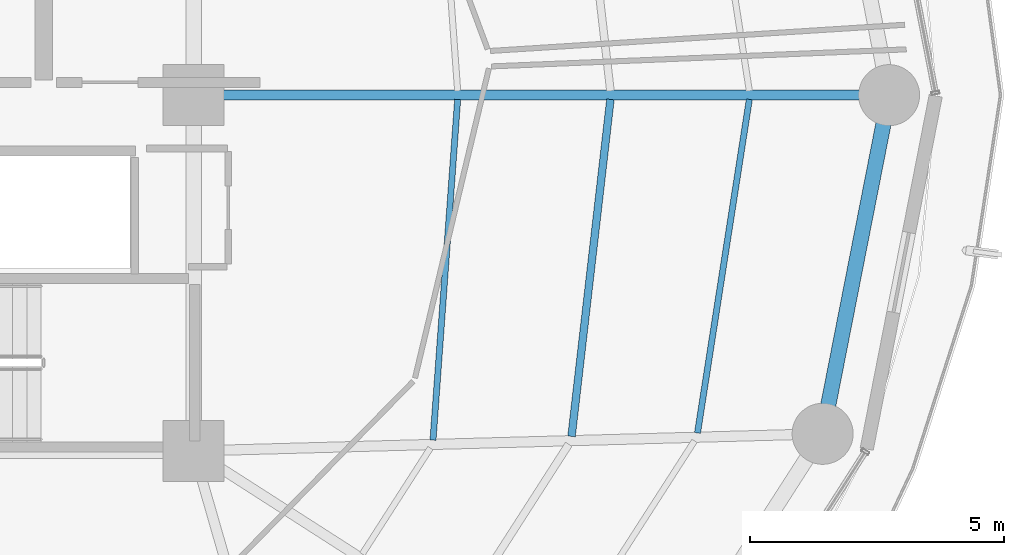
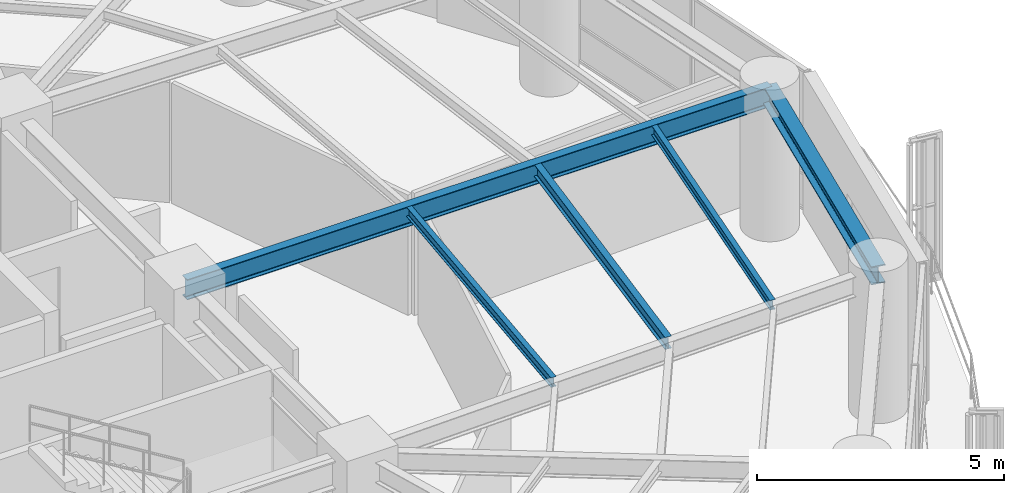
# One storey, part 12 of 27: 5 beams.
"""IFC4 building model written with IfcOpenShell, lengths in metres."""

from ifc_helpers import new_model, si_unit, direction, frame, origin, origin_2d, place, context, subcontext, project, spatial, i_section, extrude, material, material_profile, profile_set, type_object, element, save


model = new_model("IFC4")

# Units and contexts
model_context = context("Model", 3, precision=1e-05, world=origin(), true_north=direction((0.0, 1.0)))
body_context = subcontext(model_context, "Body", "Model", "MODEL_VIEW")
ifc_project = project(units=[si_unit("LENGTHUNIT", "METRE"), si_unit("AREAUNIT", "SQUARE_METRE"), si_unit("VOLUMEUNIT", "CUBIC_METRE"), si_unit("PLANEANGLEUNIT", "RADIAN"), si_unit("MASSUNIT", "GRAM", prefix="KILO")], contexts=[model_context])

# Site, building, storey
site_placement = place(None, origin())
site = spatial("IfcSite", under=ifc_project, at=site_placement, CompositionType="ELEMENT")
building_placement = place(site_placement, origin())
building = spatial("IfcBuilding", under=site, at=building_placement, Name="Kelanora Arch Commons", CompositionType="ELEMENT")
storey_placement = place(building_placement, frame((0.0, 0.0, 165.60009765625)))
storey = spatial("IfcBuildingStorey", under=building, at=storey_placement, Name="L42", CompositionType="ELEMENT", Elevation=165.60009765625)

# Beams
ifc_material = material(Name="Steel S355", Category="steel")
ifc_material_profile_1 = material_profile(ifc_material, i_section(OverallWidth=0.14990234375, OverallDepth=0.300048828125, WebThickness=0.007080078125, FlangeThickness=0.0107421875, FilletRadius=0.014892578125, at=origin_2d()), Name="IPE300")
ifc_profile_set_1 = profile_set([ifc_material_profile_1], Name="Steel S355")
beam_type_1 = type_object("IfcBeamType", Name="BM-JST-01", PredefinedType="JOIST", material=ifc_profile_set_1)
beam_1_placement = place(storey_placement, frame((89.43310546875, 51.286865234375, 3.33984375), z_axis=(0.114667159005, 0.9934039675, 0.0), x_axis=(-0.9934039675, 0.114667159005, 0.0)))
element("IfcBeam", 1, at=beam_1_placement, inside=storey, type_object=beam_type_1, Name="Secondary Chord Joist BJB-34 L42", PredefinedType="JOIST", context=body_context, shape_type="SweptSolid", body=[
    extrude(i_section(OverallWidth=0.14990234375, OverallDepth=0.300048828125, WebThickness=0.007080078125, FlangeThickness=0.0107421875, FilletRadius=0.014892578125, at=origin_2d()), origin(), (0.0, 0.0, 1.0), 6.672607421875),
])
ifc_material_profile_2 = material_profile(ifc_material, i_section(OverallWidth=0.1201171875, OverallDepth=0.239990234375, WebThickness=0.006103515625, FlangeThickness=0.009765625, FilletRadius=0.014892578125, at=origin_2d()), Name="IPE240")
ifc_profile_set_2 = profile_set([ifc_material_profile_2], Name="Steel S355")
beam_type_2 = type_object("IfcBeamType", Name="BM-JST-02", PredefinedType="JOIST", material=ifc_profile_set_2)
beam_2_placement = place(storey_placement, frame((86.707763671875, 51.212890625, 3.369873046875), z_axis=(0.072117123738, 0.997396170267, 0.0), x_axis=(-0.997396170267, 0.072117123738, 0.0)))
element("IfcBeam", 2, at=beam_2_placement, inside=storey, type_object=beam_type_2, Name="Secondary Chord Joist BJA-34 L42", PredefinedType="JOIST", context=body_context, shape_type="SweptSolid", body=[
    extrude(i_section(OverallWidth=0.1201171875, OverallDepth=0.239990234375, WebThickness=0.006103515625, FlangeThickness=0.009765625, FilletRadius=0.014892578125, at=origin_2d()), origin(), (0.0, 0.0, 1.0), 6.719970703125),
])
beam_3_placement = place(storey_placement, frame((91.9111328125, 51.35400390625, 3.369873046875), z_axis=(0.153562625853, 0.988138917329, 0.0), x_axis=(-0.988138917329, 0.153562625853, 0.0)))
element("IfcBeam", 3, at=beam_3_placement, inside=storey, type_object=beam_type_2, Name="Secondary Chord Joist BJC-34 L42", PredefinedType="JOIST", context=body_context, shape_type="SweptSolid", body=[
    extrude(i_section(OverallWidth=0.1201171875, OverallDepth=0.239990234375, WebThickness=0.006103515625, FlangeThickness=0.009765625, FilletRadius=0.014892578125, at=origin_2d()), origin(), (0.0, 0.0, 1.0), 6.640869140625),
])
ifc_material_profile_3 = material_profile(ifc_material, i_section(OverallWidth=0.199951171875, OverallDepth=0.5, WebThickness=0.01025390625, FlangeThickness=0.01611328125, FilletRadius=0.02099609375, at=origin_2d()), Name="IPE500")
ifc_profile_set_3 = profile_set([ifc_material_profile_3], Name="Steel S355")
beam_type_3 = type_object("IfcBeamType", Name="BM-RAD-Z3", PredefinedType="BEAM", material=ifc_profile_set_3)
beam_4_placement = place(storey_placement, frame((82.0, 58.0, 3.239990234375), z_axis=(1.0, 0.0, 0.0), x_axis=(0.0, 1.0, 0.0)))
element("IfcBeam", 4, at=beam_4_placement, inside=storey, type_object=beam_type_3, Name="Radial Floor Girder BR-00 L42", PredefinedType="BEAM", context=body_context, shape_type="SweptSolid", body=[
    extrude(i_section(OverallWidth=0.199951171875, OverallDepth=0.5, WebThickness=0.01025390625, FlangeThickness=0.01611328125, FilletRadius=0.02099609375, at=origin_2d()), origin(), (0.0, 0.0, 1.0), 13.679931640625),
])
ifc_material_profile_4 = material_profile(ifc_material, i_section(OverallWidth=0.300048828125, OverallDepth=0.449951171875, WebThickness=0.013916015625, FlangeThickness=0.02587890625, FilletRadius=0.027099609375, at=origin_2d()), Name="HEB450")
ifc_profile_set_4 = profile_set([ifc_material_profile_4], Name="Steel S355")
beam_type_4 = type_object("IfcBeamType", Name="BM-SPN-Z3", PredefinedType="SPANDREL", material=ifc_profile_set_4)
beam_5_placement = place(storey_placement, frame((94.37255859375, 51.33740234375, 3.264892578125), z_axis=(0.192553643556, 0.981286448675, 0.0), x_axis=(-0.981286448675, 0.192553643556, 0.0)))
element("IfcBeam", 5, at=beam_5_placement, inside=storey, type_object=beam_type_4, Name="Perimeter Spandrel Beam BS-34 L42", PredefinedType="SPANDREL", context=body_context, shape_type="SweptSolid", body=[
    extrude(i_section(OverallWidth=0.300048828125, OverallDepth=0.449951171875, WebThickness=0.013916015625, FlangeThickness=0.02587890625, FilletRadius=0.027099609375, at=origin_2d()), origin(), (0.0, 0.0, 1.0), 6.78955078125),
])

save(model, "model.ifc")
